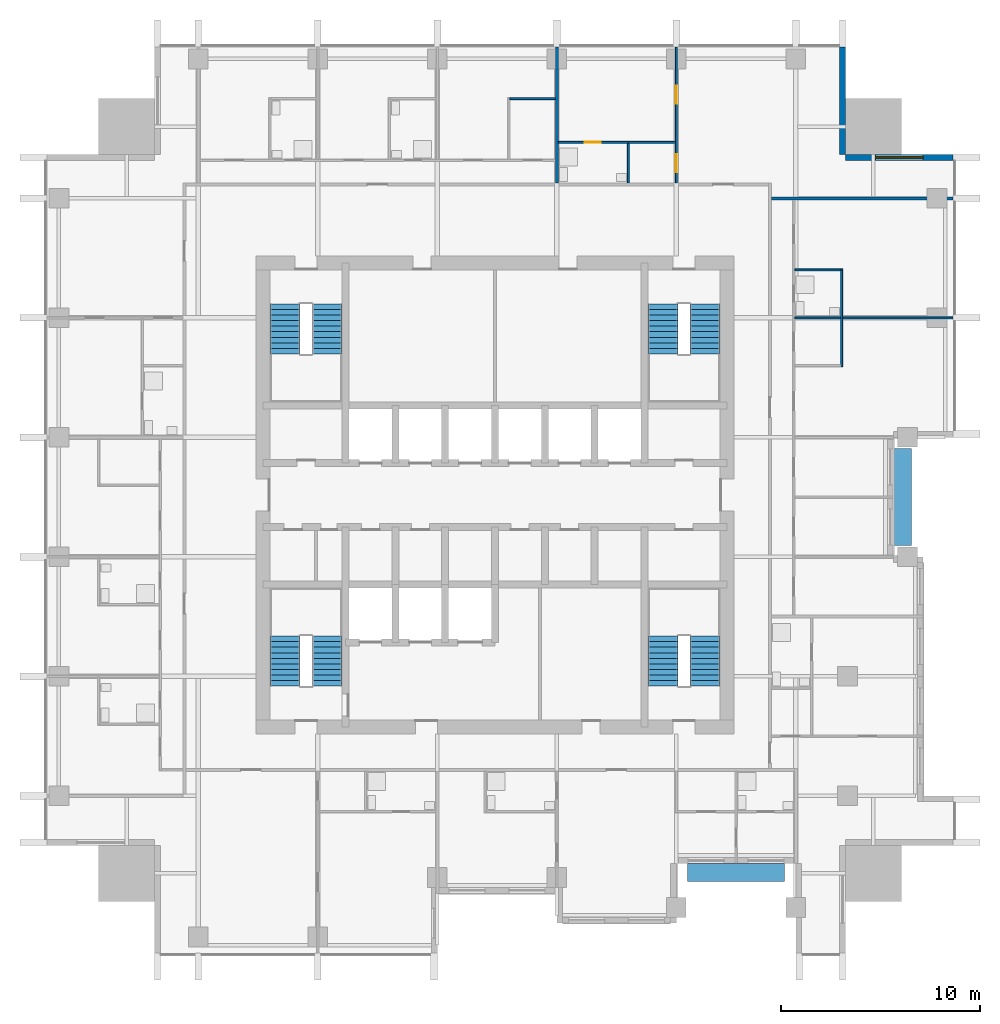
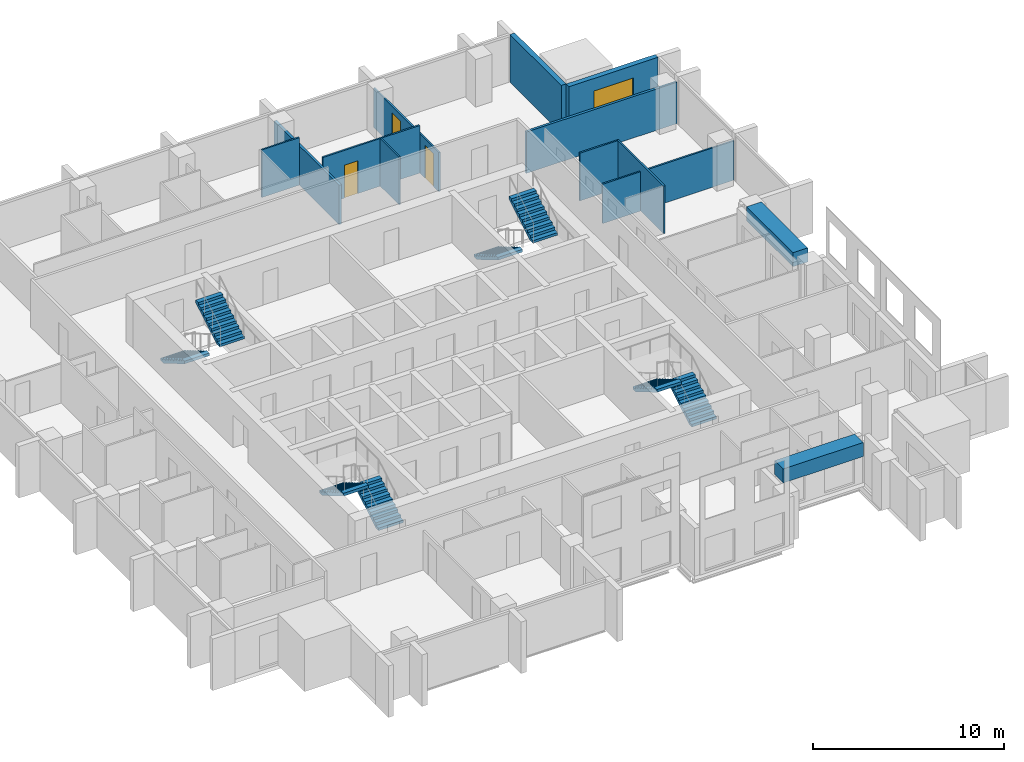
# One storey, part 8 of 11: 11 walls, 8 stair flights, 3 doors, 2 discrete accessories, 1 window, 4 openings, 4 elements without a shape of their own.
"""IFC4 building model written with IfcOpenShell, lengths in metres."""

import ifcopenshell
import ifcopenshell.guid

model = None  # the IFC model being written
_history = None  # IfcOwnerHistory: only IFC2X3 demands one
_inside = {}  # id of a spatial element -> (the spatial element, [elements in it])
_under = {}  # id of a project, library or spatial element -> (it, [spatial elements below it])
_declared = {}  # id of a project -> (the project, [libraries it declares])
_typed = {}  # id of a type object -> (the type object, [elements of that type])
_made_of = {}  # id of a material, layer set ... -> (it, [elements and type objects made of it])


def new_model(schema):
    """Start an empty IFC model of exactly this schema.

    Asked for "IFC4X3", IfcOpenShell would pick the latest addendum, in which some entities
    have other attributes; the version numbers below select the first issue.
    IFC2X3 requires an IfcOwnerHistory on every rooted entity: one is made here for all.
    """
    global model, _history
    if schema == "IFC4X3":
        model = ifcopenshell.file(schema_version=(4, 3, 0, 0))
    else:
        model = ifcopenshell.file(schema=schema)
    _inside.clear()
    _under.clear()
    _declared.clear()
    _typed.clear()
    _made_of.clear()
    _history = None
    if model.schema == "IFC2X3":
        org = make("IfcOrganization", Name="unknown")
        user = make(
            "IfcPersonAndOrganization",
            ThePerson=make("IfcPerson", FamilyName="unknown"),
            TheOrganization=org,
        )
        app = make(
            "IfcApplication",
            ApplicationDeveloper=org,
            Version="unknown",
            ApplicationFullName="unknown",
            ApplicationIdentifier="unknown",
        )
        _history = make(
            "IfcOwnerHistory",
            OwningUser=user,
            OwningApplication=app,
            ChangeAction="ADDED",
            CreationDate=0,
        )
    return model


def make(cls, **values):
    """One entity of the class cls with the attributes given. An attribute that is None is left unset."""
    return model.create_entity(
        cls, **{name: value for name, value in values.items() if value is not None}
    )


def rooted(cls, **values):
    """An entity with a GlobalId (a new one), such as an element, a storey or a relation."""
    return make(cls, GlobalId=ifcopenshell.guid.new(), OwnerHistory=_history, **values)


def si_unit(unit_type, name, prefix=None):
    """IfcSIUnit, for example si_unit("LENGTHUNIT", "METRE", prefix="MILLI")."""
    return make("IfcSIUnit", UnitType=unit_type, Prefix=prefix, Name=name)


def assignment(units):
    """IfcUnitAssignment: the units of a project."""
    return None if units is None else make("IfcUnitAssignment", Units=units)


def point(xyz):
    """IfcCartesianPoint."""
    return None if xyz is None else make("IfcCartesianPoint", Coordinates=xyz)


def direction(xyz):
    """IfcDirection."""
    return None if xyz is None else make("IfcDirection", DirectionRatios=xyz)


def frame(location, z_axis=None, x_axis=None):
    """IfcAxis2Placement3D, a coordinate frame: its origin and axes. An axis left out is left unset."""
    return make(
        "IfcAxis2Placement3D",
        Location=point(location),
        Axis=direction(z_axis),
        RefDirection=direction(x_axis),
    )


def frame_2d(location, x_axis=None):
    """IfcAxis2Placement2D, a coordinate frame in the plane: its origin and x axis."""
    return make(
        "IfcAxis2Placement2D", Location=point(location), RefDirection=direction(x_axis)
    )


def origin():
    """The frame at (0, 0, 0) with its axes left unset."""
    return frame((0.0, 0.0, 0.0))


def origin_2d():
    """The frame at (0, 0) in the plane with its x axis left unset."""
    return frame_2d((0.0, 0.0))


def place(relative_to, where):
    """IfcLocalPlacement: puts the frame where relative to a parent placement (None: the world)."""
    return make(
        "IfcLocalPlacement", PlacementRelTo=relative_to, RelativePlacement=where
    )


def context(
    kind, dimensions, precision=None, world=None, true_north=None, identifier=None
):
    """IfcGeometricRepresentationContext, for example the 3D "Model" context."""
    return make(
        "IfcGeometricRepresentationContext",
        ContextIdentifier=identifier,
        ContextType=kind,
        CoordinateSpaceDimension=dimensions,
        Precision=precision,
        WorldCoordinateSystem=world,
        TrueNorth=true_north,
    )


def subcontext(parent, identifier, kind, view, scale=None):
    """IfcGeometricRepresentationSubContext, for example "Body" below "Model"."""
    return make(
        "IfcGeometricRepresentationSubContext",
        ContextIdentifier=identifier,
        ContextType=kind,
        ParentContext=parent,
        TargetScale=scale,
        TargetView=view,
    )


def project(units=None, contexts=None):
    """IfcProject with its units and contexts."""
    return rooted(
        "IfcProject",
        Name="project",
        RepresentationContexts=contexts,
        UnitsInContext=assignment(units),
    )


def spatial(cls, under=None, at=None, **own):
    """A site, building, storey or space (cls), placed at a placement, below another one or the project."""
    s = rooted(cls, ObjectPlacement=at, **own)
    if under is not None:
        _under.setdefault(under.id(), (under, []))[1].append(s)
    return s


def polyline(points):
    """IfcPolyline through the points."""
    return make("IfcPolyline", Points=[point(p) for p in points])


def profile(cls, at=None, kind="AREA", **sizes):
    """A parametric profile (cls). Its sizes go by their IFC names, for example OverallWidth=200.0."""
    return make(cls, ProfileType=kind, Position=at, **sizes)


def rectangle(**sizes):
    """IfcRectangleProfileDef."""
    return profile("IfcRectangleProfileDef", **sizes)


def outline(outer, holes=None, kind="AREA"):
    """IfcArbitraryClosedProfileDef: a profile drawn as a closed curve; with holes, ...WithVoids."""
    if holes is None:
        return make("IfcArbitraryClosedProfileDef", ProfileType=kind, OuterCurve=outer)
    return make(
        "IfcArbitraryProfileDefWithVoids",
        ProfileType=kind,
        OuterCurve=outer,
        InnerCurves=holes,
    )


def extrude(swept, where, along, depth):
    """IfcExtrudedAreaSolid: the profile swept, set in the frame where, extruded along a direction by depth."""
    return make(
        "IfcExtrudedAreaSolid",
        SweptArea=swept,
        Position=where,
        ExtrudedDirection=direction(along),
        Depth=depth,
    )


def shape(context_of_items, identifier, shape_type, items):
    """IfcShapeRepresentation: the items that make up one representation, for example the "Body"."""
    return make(
        "IfcShapeRepresentation",
        ContextOfItems=context_of_items,
        RepresentationIdentifier=identifier,
        RepresentationType=shape_type,
        Items=items,
    )


def material(Name=None, Category=None):
    """IfcMaterial."""
    return make("IfcMaterial", Name=Name, Category=Category)


def layer(
    of_material, thickness, ventilated=None, Name=None, Category=None, Priority=None
):
    """IfcMaterialLayer: one layer of a wall or slab, of a material (None: an air gap)."""
    return make(
        "IfcMaterialLayer",
        Material=of_material,
        LayerThickness=thickness,
        IsVentilated=ventilated,
        Name=Name,
        Category=Category,
        Priority=Priority,
    )


def layer_set(layers, Name=None):
    """IfcMaterialLayerSet."""
    return make("IfcMaterialLayerSet", MaterialLayers=layers, LayerSetName=Name)


def made_of(thing, what):
    """Note that an element or type object is made of a material, layer set ...; save() writes the relation."""
    if what is not None:
        _made_of.setdefault(what.id(), (what, []))[1].append(thing)
    return thing


def type_object(cls, material=None, **own):
    """A type object (cls), such as IfcWallType, which elements share."""
    return made_of(rooted(cls, **own), material)


def element(
    cls,
    number,
    at=None,
    inside=None,
    cuts=None,
    type_object=None,
    material=None,
    context=None,
    identifier="Body",
    shape_type=None,
    held_by="IfcProductDefinitionShape",
    body=None,
    shapes=None,
    **own,
):
    """One element of the class cls, such as IfcWall. Its Tag is "e" and its number.

    at: its placement. inside: the storey or other place that contains it. cuts: it is an
    opening in that element (IfcRelVoidsElement). A single representation is given by context,
    identifier, shape_type and body (its items); several are given by shapes. held_by: the class
    of the entity that holds the representations. save() writes the other relations.
    """
    e = rooted(cls, Tag="e%d" % number, ObjectPlacement=at, **own)
    if body is not None:
        shapes = [shape(context, identifier, shape_type, body)]
    if shapes is not None:
        e.Representation = make(held_by, Representations=shapes)
    if inside is not None:
        _inside.setdefault(inside.id(), (inside, []))[1].append(e)
    if cuts is not None:
        rooted(
            "IfcRelVoidsElement", RelatingBuildingElement=cuts, RelatedOpeningElement=e
        )
    if type_object is not None:
        _typed.setdefault(type_object.id(), (type_object, []))[1].append(e)
    return made_of(e, material)


def fill(opening, filler):
    """IfcRelFillsElement: the door or window that sits in an opening."""
    return rooted(
        "IfcRelFillsElement",
        RelatingOpeningElement=opening,
        RelatedBuildingElement=filler,
    )


def aggregate(whole, parts):
    """IfcRelAggregates: a whole, such as a stair, and the parts it consists of."""
    return rooted("IfcRelAggregates", RelatingObject=whole, RelatedObjects=parts)


def save(model, path):
    """Write the relations noted so far, then the file.

    IfcRelAggregates (storeys below a building ...), IfcRelContainedInSpatialStructure (elements
    in a storey), IfcRelDefinesByType, IfcRelAssociatesMaterial and IfcRelDeclares: one each for
    every whole, place, type object, material and project.
    """
    for whole, parts in _under.values():
        aggregate(whole, parts)
    for where, things in _inside.values():
        rooted(
            "IfcRelContainedInSpatialStructure",
            RelatedElements=things,
            RelatingStructure=where,
        )
    for kind, things in _typed.values():
        rooted("IfcRelDefinesByType", RelatedObjects=things, RelatingType=kind)
    for what, things in _made_of.values():
        rooted("IfcRelAssociatesMaterial", RelatedObjects=things, RelatingMaterial=what)
    for by, libraries in _declared.values():
        rooted("IfcRelDeclares", RelatingContext=by, RelatedDefinitions=libraries)
    model.write(path)


model = new_model("IFC4")

# Units and contexts
model_context = context("Model", 3, precision=1e-05, world=origin(), true_north=direction((0.0, 1.0)))
body_context = subcontext(model_context, "Body", "Model", "MODEL_VIEW")
ifc_project = project(units=[si_unit("LENGTHUNIT", "METRE"), si_unit("AREAUNIT", "SQUARE_METRE"), si_unit("VOLUMEUNIT", "CUBIC_METRE"), si_unit("PLANEANGLEUNIT", "RADIAN"), si_unit("MASSUNIT", "GRAM", prefix="KILO")], contexts=[model_context])

# Site, building, storey
site_placement = place(None, origin())
site = spatial("IfcSite", under=ifc_project, at=site_placement, CompositionType="ELEMENT")
building_placement = place(site_placement, origin())
building = spatial("IfcBuilding", under=site, at=building_placement, Name="Amberfall Residences", CompositionType="ELEMENT")
storey_placement = place(building_placement, frame((0.0, 0.0, 171.39990234375)))
storey = spatial("IfcBuildingStorey", under=building, at=storey_placement, Name="L46", CompositionType="ELEMENT", Elevation=171.39990234375)

# Wall, opening, window
ifc_material_1 = material(Name="Pale stone cladding on insulated backing", Category="masonry")
ifc_layer_1 = layer(ifc_material_1, 0.300048828125)
ifc_layer_set_1 = layer_set([ifc_layer_1], Name="Bronze clad wall 300")
wall_type_1 = type_object("IfcWallType", Name="Bronze clad wall 300", PredefinedType="SOLIDWALL", material=ifc_layer_set_1)
wall_1_placement = place(storey_placement, frame((97.5, 62.449951171875, 0.0), z_axis=(0.0, 0.0, 1.0), x_axis=(-1.0, 0.0, 0.0)))
wall_1 = element("IfcWall", 1, at=wall_1_placement, inside=storey, type_object=wall_type_1, Name="External wall L46 NE", PredefinedType="SOLIDWALL", context=body_context, shape_type="SweptSolid", body=[
    extrude(rectangle(XDim=5.39990234375, YDim=0.300048828125, at=frame_2d((2.699951171875, 0.0))), origin(), (0.0, 0.0, 1.0), 3.050048828125),
])
opening_1_placement = place(wall_1_placement, frame((1.5, 0.0, 0.14990234375)))
opening_1 = element("IfcOpeningElement", 2, at=opening_1_placement, cuts=wall_1, Name="Opening WN5", PredefinedType="OPENING", context=body_context, shape_type="SweptSolid", body=[
    extrude(rectangle(XDim=2.39990234375, YDim=2.10009765625, at=frame_2d((1.199951171875, 1.050048828125))), frame((0.0, 0.159912109375, 0.0), z_axis=(0.0, -1.0, 0.0), x_axis=(1.0, 0.0, 0.0)), (0.0, 0.0, 1.0), 0.320068359375),
])
ifc_material_2 = material(Name="Bronze aluminium framed glazing", Category="aluminium")
window_type = type_object("IfcWindowType", Name="Glazed opening 2400 x 2100 bronze", PartitioningType="DOUBLE_PANEL_VERTICAL", PredefinedType="WINDOW", material=ifc_material_2)
window_placement = place(opening_1_placement, origin())
window = element("IfcWindow", 3, at=window_placement, inside=storey, type_object=window_type, Name="Window L46 NE", OverallHeight=2.10009765625, OverallWidth=2.39990234375, PartitioningType="DOUBLE_PANEL_VERTICAL", PredefinedType="WINDOW", context=body_context, shape_type="SweptSolid", body=[
    extrude(rectangle(XDim=2.39990234375, YDim=2.10009765625, at=frame_2d((1.199951171875, 1.050048828125))), frame((0.0, 0.030029296875, 0.0), z_axis=(0.0, -1.0, 0.0), x_axis=(1.0, 0.0, 0.0)), (0.0, 0.0, 1.0), 0.06005859375),
])
fill(opening_1, window)

# Walls
wall_2_placement = place(storey_placement, frame((91.949951171875, 62.60009765625, 0.0), z_axis=(0.0, 0.0, 1.0), x_axis=(0.0, 1.0, 0.0)))
element("IfcWall", 4, at=wall_2_placement, inside=storey, type_object=wall_type_1, Name="External wall L46 NE", PredefinedType="SOLIDWALL", context=body_context, shape_type="SweptSolid", body=[
    extrude(rectangle(XDim=5.39990234375, YDim=0.300048828125, at=frame_2d((2.699951171875, 0.0))), origin(), (0.0, 0.0, 1.0), 3.050048828125),
])
ifc_material_3 = material(Name="Gypsum board on metal stud")
ifc_layer_2 = layer(ifc_material_3, 0.10009765625)
ifc_layer_set_2 = layer_set([ifc_layer_2], Name="Flat partition 100")
wall_type_2 = type_object("IfcWallType", Name="Flat partition 100", PredefinedType="PARTITIONING", material=ifc_layer_set_2)
wall_3_placement = place(storey_placement, frame((81.199951171875, 61.175048828125, 0.0), z_axis=(0.0, 0.0, 1.0), x_axis=(0.0, 1.0, 0.0)))
element("IfcWall", 5, at=wall_3_placement, inside=storey, type_object=wall_type_2, Name="Partition 015", PredefinedType="PARTITIONING", context=body_context, shape_type="SweptSolid", body=[
    extrude(rectangle(XDim=1.974853515625, YDim=0.10009765625, at=frame_2d((0.9873046875, 0.0))), origin(), (0.0, 0.0, 1.0), 3.050048828125),
])

# Wall, openings, doors
wall_4_placement = place(storey_placement, frame((83.60009765625, 61.175048828125, 0.0), z_axis=(0.0, 0.0, 1.0), x_axis=(0.0, 1.0, 0.0)))
wall_4 = element("IfcWall", 6, at=wall_4_placement, inside=storey, type_object=wall_type_2, Name="Partition 017", PredefinedType="PARTITIONING", context=body_context, shape_type="SweptSolid", body=[
    extrude(rectangle(XDim=6.824951171875, YDim=0.10009765625, at=frame_2d((3.41259765625, 0.0))), origin(), (0.0, 0.0, 1.0), 2.51611328125),
])
opening_2_placement = place(wall_4_placement, frame((0.52490234375, 0.0, 0.0)))
opening_2 = element("IfcOpeningElement", 7, at=opening_2_placement, cuts=wall_4, Name="Opening D41", PredefinedType="OPENING", context=body_context, shape_type="SweptSolid", body=[
    extrude(rectangle(XDim=0.89990234375, YDim=2.10009765625, at=frame_2d((0.449951171875, 1.050048828125))), frame((0.0, 0.06005859375, 0.0), z_axis=(0.0, -1.0, 0.0), x_axis=(1.0, 0.0, 0.0)), (0.0, 0.0, 1.0), 0.1201171875),
])
opening_3_placement = place(wall_4_placement, frame((3.97509765625, 0.0, 0.0)))
opening_3 = element("IfcOpeningElement", 8, at=opening_3_placement, cuts=wall_4, Name="Opening D41", PredefinedType="OPENING", context=body_context, shape_type="SweptSolid", body=[
    extrude(rectangle(XDim=0.89990234375, YDim=2.10009765625, at=frame_2d((0.449951171875, 1.050048828125))), frame((0.0, 0.06005859375, 0.0), z_axis=(0.0, -1.0, 0.0), x_axis=(1.0, 0.0, 0.0)), (0.0, 0.0, 1.0), 0.1201171875),
])
ifc_material_4 = material(Name="Timber", Category="wood")
door_type_1 = type_object("IfcDoorType", Name="Internal door 900 x 2100", OperationType="SINGLE_SWING_LEFT", PredefinedType="DOOR", material=ifc_material_4)
door_1_placement = place(opening_2_placement, origin())
door_1 = element("IfcDoor", 9, at=door_1_placement, inside=storey, type_object=door_type_1, Name="Door 4606 kitchen", OperationType="SINGLE_SWING_LEFT", OverallHeight=2.10009765625, OverallWidth=0.89990234375, PredefinedType="DOOR", context=body_context, shape_type="SweptSolid", body=[
    extrude(rectangle(XDim=0.89990234375, YDim=2.10009765625, at=frame_2d((0.449951171875, 1.050048828125))), frame((0.0, 0.02490234375, 0.0), z_axis=(0.0, -1.0, 0.0), x_axis=(1.0, 0.0, 0.0)), (0.0, 0.0, 1.0), 0.050048828125),
])
fill(opening_2, door_1)
door_2_placement = place(opening_3_placement, origin())
door_2 = element("IfcDoor", 10, at=door_2_placement, inside=storey, type_object=door_type_1, Name="Door 4606 bedroom1", OperationType="SINGLE_SWING_LEFT", OverallHeight=2.10009765625, OverallWidth=0.89990234375, PredefinedType="DOOR", context=body_context, shape_type="SweptSolid", body=[
    extrude(rectangle(XDim=0.89990234375, YDim=2.10009765625, at=frame_2d((0.449951171875, 1.050048828125))), frame((0.0, 0.02490234375, 0.0), z_axis=(0.0, -1.0, 0.0), x_axis=(1.0, 0.0, 0.0)), (0.0, 0.0, 1.0), 0.050048828125),
])
fill(opening_3, door_2)

# Walls
wall_5_placement = place(storey_placement, frame((91.89990234375, 51.949951171875, 0.0), z_axis=(0.0, 0.0, 1.0), x_axis=(0.0, 1.0, 0.0)))
element("IfcWall", 11, at=wall_5_placement, inside=storey, type_object=wall_type_2, Name="Partition 021", PredefinedType="PARTITIONING", context=body_context, shape_type="SweptSolid", body=[
    extrude(rectangle(XDim=4.900146484375, YDim=0.10009765625, at=frame_2d((2.4501953125, 0.0))), origin(), (0.0, 0.0, 1.0), 3.050048828125),
])
wall_6_placement = place(storey_placement, frame((75.25, 65.39990234375, 0.0), z_axis=(0.0, 0.0, 1.0), x_axis=(1.0, 0.0, 0.0)))
element("IfcWall", 12, at=wall_6_placement, inside=storey, type_object=wall_type_2, Name="Partition 024", PredefinedType="PARTITIONING", context=body_context, shape_type="SweptSolid", body=[
    extrude(rectangle(XDim=2.27490234375, YDim=0.10009765625, at=frame_2d((1.137451171875, 0.0))), origin(), (0.0, 0.0, 1.0), 3.050048828125),
])

# Wall, opening, door
wall_7_placement = place(storey_placement, frame((83.550048828125, 63.199951171875, 0.0), z_axis=(0.0, 0.0, 1.0), x_axis=(-1.0, 0.0, 0.0)))
wall_7 = element("IfcWall", 13, at=wall_7_placement, inside=storey, type_object=wall_type_2, Name="Partition 025", PredefinedType="PARTITIONING", context=body_context, shape_type="SweptSolid", body=[
    extrude(rectangle(XDim=5.875, YDim=0.10009765625, at=frame_2d((2.9375, 0.0))), origin(), (0.0, 0.0, 1.0), 3.050048828125),
])
opening_4_placement = place(wall_7_placement, frame((3.75, 0.0, 0.0)))
opening_4 = element("IfcOpeningElement", 14, at=opening_4_placement, cuts=wall_7, Name="Opening D42", PredefinedType="OPENING", context=body_context, shape_type="SweptSolid", body=[
    extrude(rectangle(XDim=0.800048828125, YDim=2.10009765625, at=frame_2d((0.39990234375, 1.050048828125))), frame((0.0, 0.06005859375, 0.0), z_axis=(0.0, -1.0, 0.0), x_axis=(1.0, 0.0, 0.0)), (0.0, 0.0, 1.0), 0.1201171875),
])
door_type_2 = type_object("IfcDoorType", Name="Bathroom door 800 x 2100", OperationType="SINGLE_SWING_LEFT", PredefinedType="DOOR", material=ifc_material_4)
door_3_placement = place(opening_4_placement, origin())
door_3 = element("IfcDoor", 15, at=door_3_placement, inside=storey, type_object=door_type_2, Name="Door 4606 bath1", OperationType="SINGLE_SWING_LEFT", OverallHeight=2.10009765625, OverallWidth=0.800048828125, PredefinedType="DOOR", context=body_context, shape_type="SweptSolid", body=[
    extrude(rectangle(XDim=0.800048828125, YDim=2.10009765625, at=frame_2d((0.39990234375, 1.050048828125))), frame((0.0, 0.02490234375, 0.0), z_axis=(0.0, -1.0, 0.0), x_axis=(1.0, 0.0, 0.0)), (0.0, 0.0, 1.0), 0.050048828125),
])
fill(opening_4, door_3)

# Walls
wall_8_placement = place(storey_placement, frame((89.550048828125, 56.800048828125, 0.0), z_axis=(0.0, 0.0, 1.0), x_axis=(1.0, 0.0, 0.0)))
element("IfcWall", 16, at=wall_8_placement, inside=storey, type_object=wall_type_2, Name="Partition 027", PredefinedType="PARTITIONING", context=body_context, shape_type="SweptSolid", body=[
    extrude(rectangle(XDim=2.300048828125, YDim=0.10009765625, at=frame_2d((1.14990234375, 0.0))), origin(), (0.0, 0.0, 1.0), 3.050048828125),
])
wall_9_placement = place(storey_placement, frame((89.550048828125, 54.39990234375, 0.0), z_axis=(0.0, 0.0, 1.0), x_axis=(1.0, 0.0, 0.0)))
element("IfcWall", 17, at=wall_9_placement, inside=storey, type_object=wall_type_2, Name="Partition 029", PredefinedType="PARTITIONING", context=body_context, shape_type="SweptSolid", body=[
    extrude(rectangle(XDim=7.949951171875, YDim=0.10009765625, at=frame_2d((3.97509765625, 0.0))), origin(), (0.0, 0.0, 1.0), 2.51611328125),
])
ifc_material_5 = material(Name="Blockwork, plastered", Category="masonry")
ifc_layer_3 = layer(ifc_material_5, 0.14990234375)
ifc_layer_set_3 = layer_set([ifc_layer_3], Name="Flat separating wall 150")
wall_type_3 = type_object("IfcWallType", Name="Flat separating wall 150", PredefinedType="PARTITIONING", material=ifc_layer_set_3)
wall_10_placement = place(storey_placement, frame((77.60009765625, 61.175048828125, 0.0), z_axis=(0.0, 0.0, 1.0), x_axis=(0.0, 1.0, 0.0)))
element("IfcWall", 18, at=wall_10_placement, inside=storey, type_object=wall_type_3, Name="Separating wall 049", PredefinedType="PARTITIONING", context=body_context, shape_type="SweptSolid", body=[
    extrude(rectangle(XDim=6.824951171875, YDim=0.14990234375, at=frame_2d((3.41259765625, 0.0))), origin(), (0.0, 0.0, 1.0), 2.51611328125),
])
wall_11_placement = place(storey_placement, frame((88.375, 60.39990234375, 0.0), z_axis=(0.0, 0.0, 1.0), x_axis=(1.0, 0.0, 0.0)))
element("IfcWall", 19, at=wall_11_placement, inside=storey, type_object=wall_type_3, Name="Separating wall 053", PredefinedType="PARTITIONING", context=body_context, shape_type="SweptSolid", body=[
    extrude(rectangle(XDim=9.125, YDim=0.14990234375, at=frame_2d((4.5625, 0.0))), origin(), (0.0, 0.0, 1.0), 2.647216796875),
])

# Stair, stair flights
ifc_material_6 = material(Name="Concrete C40", Category="concrete")
stair_type = type_object("IfcStairType", Name="Exit stair 20 risers 165.0 mm", PredefinedType="HALF_TURN_STAIR", material=ifc_material_6)
stair_1_placement = place(storey_placement, origin())
stair_1 = element("IfcStair", 20, at=stair_1_placement, inside=storey, type_object=stair_type, Name="L46 Exit stair 1", PredefinedType="HALF_TURN_STAIR")
stair_flight_type = type_object("IfcStairFlightType", Name="Stair flight 10 risers 165.0 mm", PredefinedType="STRAIGHT", material=ifc_material_6)
stair_flight_1_placement = place(storey_placement, frame((66.074951171875, 35.89990234375, 0.0), z_axis=(0.0, 0.0, 1.0), x_axis=(0.0, 1.0, 0.0)))
stair_flight_1 = element("IfcStairFlight", 21, at=stair_flight_1_placement, type_object=stair_flight_type, Name="ST3 flight 1", NumberOfRisers=10, NumberOfTreads=9, PredefinedType="STRAIGHT", RiserHeight=0.165, TreadLength=0.28, context=body_context, shape_type="SweptSolid", body=[
    extrude(outline(polyline([(0.0, 0.0), (0.0, 0.1650390625), (0.280029296875, 0.1650390625), (0.280029296875, 0.330078125), (0.56005859375, 0.330078125), (0.56005859375, 0.4951171875), (0.840087890625, 0.4951171875), (0.840087890625, 0.659912109375), (1.1201171875, 0.659912109375), (1.1201171875, 0.824951171875), (1.39990234375, 0.824951171875), (1.39990234375, 0.989990234375), (1.679931640625, 0.989990234375), (1.679931640625, 1.155029296875), (1.9599609375, 1.155029296875), (1.9599609375, 1.320068359375), (2.239990234375, 1.320068359375), (2.239990234375, 1.485107421875), (2.52001953125, 1.485107421875), (2.52001953125, 1.64990234375), (2.52001953125, 1.31103515625), (0.295166015625, 0.0), (0.0, 0.0)])), frame((0.0, 0.75, 0.0), z_axis=(0.0, -1.0, 0.0), x_axis=(1.0, 0.0, 0.0)), (0.0, 0.0, 1.0), 1.5),
])
stair_flight_2_placement = place(storey_placement, frame((63.949951171875, 38.419921875, 1.650146484375), z_axis=(0.0, 0.0, 1.0), x_axis=(0.0, -1.0, 0.0)))
stair_flight_2 = element("IfcStairFlight", 22, at=stair_flight_2_placement, type_object=stair_flight_type, Name="ST3 flight 2", NumberOfRisers=10, NumberOfTreads=9, PredefinedType="STRAIGHT", RiserHeight=0.165, TreadLength=0.28, context=body_context, shape_type="SweptSolid", body=[
    extrude(outline(polyline([(0.0, 0.0), (0.0, 0.1650390625), (0.280029296875, 0.1650390625), (0.280029296875, 0.330078125), (0.56005859375, 0.330078125), (0.56005859375, 0.4951171875), (0.840087890625, 0.4951171875), (0.840087890625, 0.659912109375), (1.1201171875, 0.659912109375), (1.1201171875, 0.824951171875), (1.39990234375, 0.824951171875), (1.39990234375, 0.989990234375), (1.679931640625, 0.989990234375), (1.679931640625, 1.155029296875), (1.9599609375, 1.155029296875), (1.9599609375, 1.320068359375), (2.239990234375, 1.320068359375), (2.239990234375, 1.485107421875), (2.52001953125, 1.485107421875), (2.52001953125, 1.64990234375), (2.52001953125, 1.31103515625), (0.295166015625, 0.0), (0.0, 0.0)])), frame((0.0, 0.75, 0.0), z_axis=(0.0, -1.0, 0.0), x_axis=(1.0, 0.0, 0.0)), (0.0, 0.0, 1.0), 1.5),
])
aggregate(stair_1, [stair_flight_1, stair_flight_2])

stair_2_placement = place(storey_placement, origin())
stair_2 = element("IfcStair", 23, at=stair_2_placement, inside=storey, type_object=stair_type, Name="L46 Exit stair 2", PredefinedType="HALF_TURN_STAIR")
stair_flight_3_placement = place(storey_placement, frame((85.050048828125, 35.89990234375, 0.0), z_axis=(0.0, 0.0, 1.0), x_axis=(0.0, 1.0, 0.0)))
stair_flight_3 = element("IfcStairFlight", 24, at=stair_flight_3_placement, type_object=stair_flight_type, Name="ST3 flight 1", NumberOfRisers=10, NumberOfTreads=9, PredefinedType="STRAIGHT", RiserHeight=0.165, TreadLength=0.28, context=body_context, shape_type="SweptSolid", body=[
    extrude(outline(polyline([(0.0, 0.0), (0.0, 0.1650390625), (0.280029296875, 0.1650390625), (0.280029296875, 0.330078125), (0.56005859375, 0.330078125), (0.56005859375, 0.4951171875), (0.840087890625, 0.4951171875), (0.840087890625, 0.659912109375), (1.1201171875, 0.659912109375), (1.1201171875, 0.824951171875), (1.39990234375, 0.824951171875), (1.39990234375, 0.989990234375), (1.679931640625, 0.989990234375), (1.679931640625, 1.155029296875), (1.9599609375, 1.155029296875), (1.9599609375, 1.320068359375), (2.239990234375, 1.320068359375), (2.239990234375, 1.485107421875), (2.52001953125, 1.485107421875), (2.52001953125, 1.64990234375), (2.52001953125, 1.31103515625), (0.295166015625, 0.0), (0.0, 0.0)])), frame((0.0, 0.75, 0.0), z_axis=(0.0, -1.0, 0.0), x_axis=(1.0, 0.0, 0.0)), (0.0, 0.0, 1.0), 1.5),
])
stair_flight_4_placement = place(storey_placement, frame((82.925048828125, 38.419921875, 1.650146484375), z_axis=(0.0, 0.0, 1.0), x_axis=(0.0, -1.0, 0.0)))
stair_flight_4 = element("IfcStairFlight", 25, at=stair_flight_4_placement, type_object=stair_flight_type, Name="ST3 flight 2", NumberOfRisers=10, NumberOfTreads=9, PredefinedType="STRAIGHT", RiserHeight=0.165, TreadLength=0.28, context=body_context, shape_type="SweptSolid", body=[
    extrude(outline(polyline([(0.0, 0.0), (0.0, 0.1650390625), (0.280029296875, 0.1650390625), (0.280029296875, 0.330078125), (0.56005859375, 0.330078125), (0.56005859375, 0.4951171875), (0.840087890625, 0.4951171875), (0.840087890625, 0.659912109375), (1.1201171875, 0.659912109375), (1.1201171875, 0.824951171875), (1.39990234375, 0.824951171875), (1.39990234375, 0.989990234375), (1.679931640625, 0.989990234375), (1.679931640625, 1.155029296875), (1.9599609375, 1.155029296875), (1.9599609375, 1.320068359375), (2.239990234375, 1.320068359375), (2.239990234375, 1.485107421875), (2.52001953125, 1.485107421875), (2.52001953125, 1.64990234375), (2.52001953125, 1.31103515625), (0.295166015625, 0.0), (0.0, 0.0)])), frame((0.0, 0.75, 0.0), z_axis=(0.0, -1.0, 0.0), x_axis=(1.0, 0.0, 0.0)), (0.0, 0.0, 1.0), 1.5),
])
aggregate(stair_2, [stair_flight_3, stair_flight_4])

stair_3_placement = place(storey_placement, origin())
stair_3 = element("IfcStair", 26, at=stair_3_placement, inside=storey, type_object=stair_type, Name="L46 Exit stair 3", PredefinedType="HALF_TURN_STAIR")
stair_flight_5_placement = place(storey_placement, frame((82.925048828125, 55.10009765625, 0.0), z_axis=(0.0, 0.0, 1.0), x_axis=(0.0, -1.0, 0.0)))
stair_flight_5 = element("IfcStairFlight", 27, at=stair_flight_5_placement, type_object=stair_flight_type, Name="ST3 flight 1", NumberOfRisers=10, NumberOfTreads=9, PredefinedType="STRAIGHT", RiserHeight=0.165, TreadLength=0.28, context=body_context, shape_type="SweptSolid", body=[
    extrude(outline(polyline([(0.0, 0.0), (0.0, 0.1650390625), (0.280029296875, 0.1650390625), (0.280029296875, 0.330078125), (0.56005859375, 0.330078125), (0.56005859375, 0.4951171875), (0.840087890625, 0.4951171875), (0.840087890625, 0.659912109375), (1.1201171875, 0.659912109375), (1.1201171875, 0.824951171875), (1.39990234375, 0.824951171875), (1.39990234375, 0.989990234375), (1.679931640625, 0.989990234375), (1.679931640625, 1.155029296875), (1.9599609375, 1.155029296875), (1.9599609375, 1.320068359375), (2.239990234375, 1.320068359375), (2.239990234375, 1.485107421875), (2.52001953125, 1.485107421875), (2.52001953125, 1.64990234375), (2.52001953125, 1.31103515625), (0.295166015625, 0.0), (0.0, 0.0)])), frame((0.0, 0.75, 0.0), z_axis=(0.0, -1.0, 0.0), x_axis=(1.0, 0.0, 0.0)), (0.0, 0.0, 1.0), 1.5),
])
stair_flight_6_placement = place(storey_placement, frame((85.050048828125, 52.580078125, 1.650146484375), z_axis=(0.0, 0.0, 1.0), x_axis=(0.0, 1.0, 0.0)))
stair_flight_6 = element("IfcStairFlight", 28, at=stair_flight_6_placement, type_object=stair_flight_type, Name="ST3 flight 2", NumberOfRisers=10, NumberOfTreads=9, PredefinedType="STRAIGHT", RiserHeight=0.165, TreadLength=0.28, context=body_context, shape_type="SweptSolid", body=[
    extrude(outline(polyline([(0.0, 0.0), (0.0, 0.1650390625), (0.280029296875, 0.1650390625), (0.280029296875, 0.330078125), (0.56005859375, 0.330078125), (0.56005859375, 0.4951171875), (0.840087890625, 0.4951171875), (0.840087890625, 0.659912109375), (1.1201171875, 0.659912109375), (1.1201171875, 0.824951171875), (1.39990234375, 0.824951171875), (1.39990234375, 0.989990234375), (1.679931640625, 0.989990234375), (1.679931640625, 1.155029296875), (1.9599609375, 1.155029296875), (1.9599609375, 1.320068359375), (2.239990234375, 1.320068359375), (2.239990234375, 1.485107421875), (2.52001953125, 1.485107421875), (2.52001953125, 1.64990234375), (2.52001953125, 1.31103515625), (0.295166015625, 0.0), (0.0, 0.0)])), frame((0.0, 0.75, 0.0), z_axis=(0.0, -1.0, 0.0), x_axis=(1.0, 0.0, 0.0)), (0.0, 0.0, 1.0), 1.5),
])
aggregate(stair_3, [stair_flight_5, stair_flight_6])

stair_4_placement = place(storey_placement, origin())
stair_4 = element("IfcStair", 29, at=stair_4_placement, inside=storey, type_object=stair_type, Name="L46 Exit stair 4", PredefinedType="HALF_TURN_STAIR")
stair_flight_7_placement = place(storey_placement, frame((63.949951171875, 55.10009765625, 0.0), z_axis=(0.0, 0.0, 1.0), x_axis=(0.0, -1.0, 0.0)))
stair_flight_7 = element("IfcStairFlight", 30, at=stair_flight_7_placement, type_object=stair_flight_type, Name="ST3 flight 1", NumberOfRisers=10, NumberOfTreads=9, PredefinedType="STRAIGHT", RiserHeight=0.165, TreadLength=0.28, context=body_context, shape_type="SweptSolid", body=[
    extrude(outline(polyline([(0.0, 0.0), (0.0, 0.1650390625), (0.280029296875, 0.1650390625), (0.280029296875, 0.330078125), (0.56005859375, 0.330078125), (0.56005859375, 0.4951171875), (0.840087890625, 0.4951171875), (0.840087890625, 0.659912109375), (1.1201171875, 0.659912109375), (1.1201171875, 0.824951171875), (1.39990234375, 0.824951171875), (1.39990234375, 0.989990234375), (1.679931640625, 0.989990234375), (1.679931640625, 1.155029296875), (1.9599609375, 1.155029296875), (1.9599609375, 1.320068359375), (2.239990234375, 1.320068359375), (2.239990234375, 1.485107421875), (2.52001953125, 1.485107421875), (2.52001953125, 1.64990234375), (2.52001953125, 1.31103515625), (0.295166015625, 0.0), (0.0, 0.0)])), frame((0.0, 0.75, 0.0), z_axis=(0.0, -1.0, 0.0), x_axis=(1.0, 0.0, 0.0)), (0.0, 0.0, 1.0), 1.5),
])
stair_flight_8_placement = place(storey_placement, frame((66.074951171875, 52.580078125, 1.650146484375), z_axis=(0.0, 0.0, 1.0), x_axis=(0.0, 1.0, 0.0)))
stair_flight_8 = element("IfcStairFlight", 31, at=stair_flight_8_placement, type_object=stair_flight_type, Name="ST3 flight 2", NumberOfRisers=10, NumberOfTreads=9, PredefinedType="STRAIGHT", RiserHeight=0.165, TreadLength=0.28, context=body_context, shape_type="SweptSolid", body=[
    extrude(outline(polyline([(0.0, 0.0), (0.0, 0.1650390625), (0.280029296875, 0.1650390625), (0.280029296875, 0.330078125), (0.56005859375, 0.330078125), (0.56005859375, 0.4951171875), (0.840087890625, 0.4951171875), (0.840087890625, 0.659912109375), (1.1201171875, 0.659912109375), (1.1201171875, 0.824951171875), (1.39990234375, 0.824951171875), (1.39990234375, 0.989990234375), (1.679931640625, 0.989990234375), (1.679931640625, 1.155029296875), (1.9599609375, 1.155029296875), (1.9599609375, 1.320068359375), (2.239990234375, 1.320068359375), (2.239990234375, 1.485107421875), (2.52001953125, 1.485107421875), (2.52001953125, 1.64990234375), (2.52001953125, 1.31103515625), (0.295166015625, 0.0), (0.0, 0.0)])), frame((0.0, 0.75, 0.0), z_axis=(0.0, -1.0, 0.0), x_axis=(1.0, 0.0, 0.0)), (0.0, 0.0, 1.0), 1.5),
])
aggregate(stair_4, [stair_flight_7, stair_flight_8])

# Discrete accessories
for number, where, z_axis, x_axis, name in (
    (32, (86.60009765625, 26.550048828125, 2.400146484375), (0.0, 0.0, 1.0), (1.0, 0.0, 0.0), "Planter box L47 S7"),
    (33, (94.949951171875, 45.39990234375, 2.400146484375), (0.0, 0.0, 1.0), (0.0, 1.0, 0.0), "Planter box L47 E6"),
):
    element("IfcDiscreteAccessory", number, at=place(storey_placement, frame(where, z_axis=z_axis, x_axis=x_axis)), inside=storey, Name=name, ObjectType="PLANTER BOX", PredefinedType="USERDEFINED", context=body_context, shape_type="SweptSolid", body=[
        extrude(rectangle(XDim=4.860107421875, YDim=0.89990234375, at=origin_2d()), origin(), (0.0, 0.0, 1.0), 0.89990234375),
    ])

save(model, "model.ifc")
